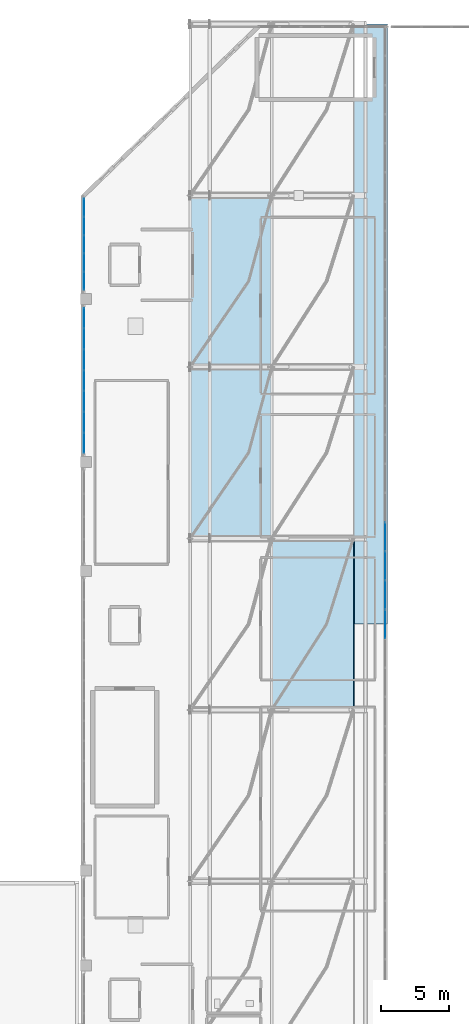
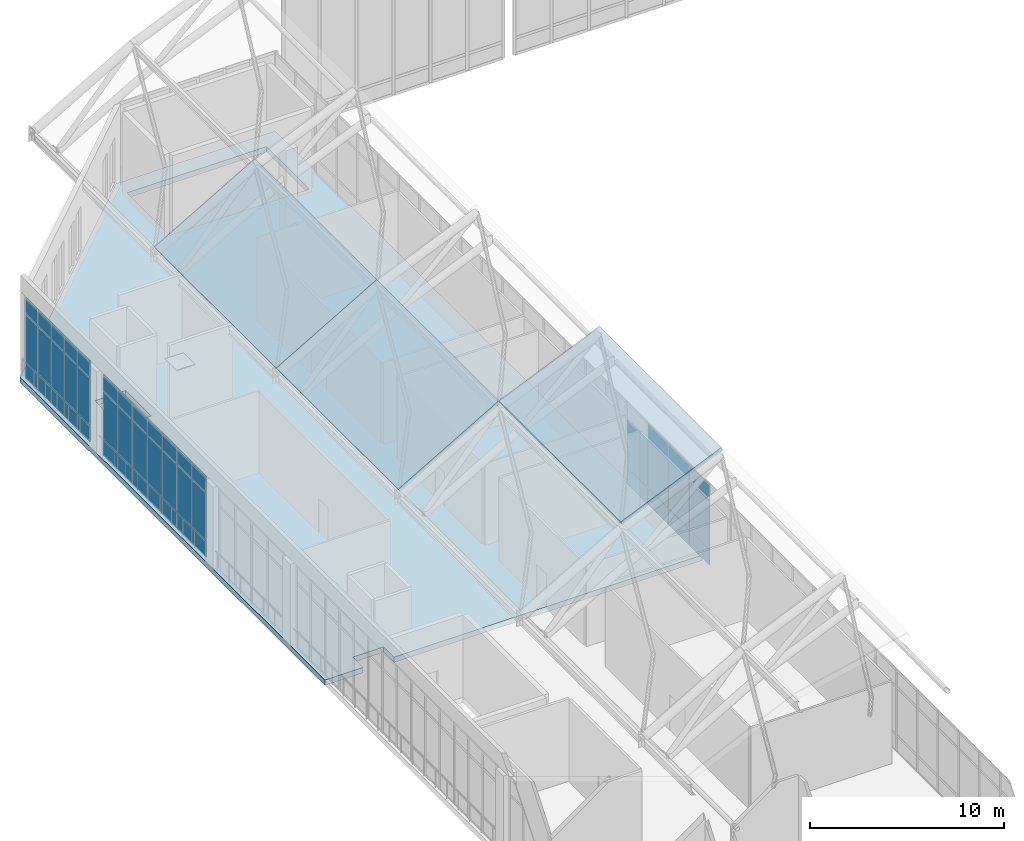
# One storey, part 28 of 42: 47 plates, 4 slabs, 3 elements without a shape of their own.
"""IFC4 building model written with IfcOpenShell, lengths in metres."""

from ifc_helpers import new_model, si_unit, derived_unit, direction, frame, origin, origin_2d, place, context, subcontext, project, spatial, polyline, rectangle, outline, extrude, material, layer, layer_set, type_object, element, aggregate, save


model = new_model("IFC4")

# Units and contexts
model_context = context("Model", 3, precision=1e-05, world=origin(), true_north=direction((0.0, 1.0)))
body_context = subcontext(model_context, "Body", "Model", "MODEL_VIEW")
ifc_project = project(units=[si_unit("LENGTHUNIT", "METRE"), si_unit("AREAUNIT", "SQUARE_METRE"), si_unit("VOLUMEUNIT", "CUBIC_METRE"), si_unit("PLANEANGLEUNIT", "RADIAN"), si_unit("MASSUNIT", "GRAM", prefix="KILO"), derived_unit("THERMALTRANSMITTANCEUNIT", [(si_unit("MASSUNIT", "GRAM", prefix="KILO"), 1), (si_unit("TIMEUNIT", "SECOND"), -3), (si_unit("THERMODYNAMICTEMPERATUREUNIT", "KELVIN"), -1)])], contexts=[model_context])

# Site, building, storey
site_placement = place(None, origin())
site = spatial("IfcSite", under=ifc_project, at=site_placement, CompositionType="ELEMENT")
building_placement = place(site_placement, origin())
building = spatial("IfcBuilding", under=site, at=building_placement, Name="Valcora Ridge Arena", CompositionType="ELEMENT")
storey_placement = place(building_placement, frame((0.0, 0.0, 26.39990234375)))
storey = spatial("IfcBuildingStorey", under=building, at=storey_placement, Name="L05", CompositionType="ELEMENT", Elevation=26.39990234375)

# Curtain wall, plates
ifc_material_1 = material(Name="Anodised dark bronze architectural aluminium 6063-T6", Category="aluminium")
ifc_layer_1 = layer(ifc_material_1, 0.14990234375, Name="Anodised dark bronze architectural aluminium 6063-T6")
ifc_layer_set_1 = layer_set([ifc_layer_1], Name="Anodised dark bronze architectural aluminium 6063-T6")
curtain_wall_type_1 = type_object("IfcCurtainWallType", Name="TY-CURTAINWALL-CW-V1-SKY-068X52", PredefinedType="NOTDEFINED", material=ifc_layer_set_1)
curtain_wall_1_placement = place(storey_placement, origin())
curtain_wall_1 = element("IfcCurtainWall", 1, at=curtain_wall_1_placement, inside=storey, type_object=curtain_wall_type_1, Name="CW-V1-SKY-068X52 CW-0168", PredefinedType="NOTDEFINED")
ifc_material_2 = material(Name="Low-iron solar-control double glazing SHGC 0.28", Category="glass")
ifc_layer_2 = layer(ifc_material_2, 0.028076171875, Name="Low-iron solar-control double glazing SHGC 0.28")
ifc_layer_set_2 = layer_set([ifc_layer_2], Name="Low-iron solar-control double glazing SHGC 0.28")
plate_type_1 = type_object("IfcPlateType", Name="TY-PLT-CWP-1277X0975", PredefinedType="CURTAIN_PANEL", material=ifc_layer_set_2)
plate_1_placement = place(storey_placement, frame((16.199951171875, 89.32861328125, 0.050048828125), z_axis=(0.0, 0.0, 1.0), x_axis=(0.0, 1.0, 0.0)))
plate_1 = element("IfcPlate", 2, at=plate_1_placement, type_object=plate_type_1, Name="CW-0168/P00-00", PredefinedType="CURTAIN_PANEL", context=body_context, shape_type="SweptSolid", body=[
    extrude(rectangle(XDim=1.277099609375, YDim=0.028076171875, at=origin_2d()), origin(), (0.0, 0.0, 1.0), 0.97509765625),
])
plate_2_placement = place(storey_placement, frame((16.199951171875, 94.71142578125, 0.050048828125), z_axis=(0.0, 0.0, 1.0), x_axis=(0.0, 1.0, 0.0)))
plate_2 = element("IfcPlate", 3, at=plate_2_placement, type_object=plate_type_1, Name="CW-0168/P04-00", PredefinedType="CURTAIN_PANEL", context=body_context, shape_type="SweptSolid", body=[
    extrude(rectangle(XDim=1.277099609375, YDim=0.028076171875, at=origin_2d()), origin(), (0.0, 0.0, 1.0), 0.97509765625),
])
ifc_layer_3 = layer(ifc_material_2, 0.028076171875, Name="Low-iron solar-control double glazing SHGC 0.28")
ifc_layer_set_3 = layer_set([ifc_layer_3], Name="Low-iron solar-control double glazing SHGC 0.28")
plate_type_2 = type_object("IfcPlateType", Name="TY-PLT-CWP-1277X1025", PredefinedType="CURTAIN_PANEL", material=ifc_layer_set_3)
plate_3_placement = place(storey_placement, frame((16.199951171875, 89.32861328125, 4.105224609375), z_axis=(0.0, 0.0, 1.0), x_axis=(0.0, 1.0, 0.0)))
plate_3 = element("IfcPlate", 4, at=plate_3_placement, type_object=plate_type_2, Name="CW-0168/P00-02", PredefinedType="CURTAIN_PANEL", context=body_context, shape_type="SweptSolid", body=[
    extrude(rectangle(XDim=1.277099609375, YDim=0.028076171875, at=origin_2d()), origin(), (0.0, 0.0, 1.0), 1.02490234375),
])
plate_4_placement = place(storey_placement, frame((16.199951171875, 94.71142578125, 4.105224609375), z_axis=(0.0, 0.0, 1.0), x_axis=(0.0, 1.0, 0.0)))
plate_4 = element("IfcPlate", 5, at=plate_4_placement, type_object=plate_type_2, Name="CW-0168/P04-02", PredefinedType="CURTAIN_PANEL", context=body_context, shape_type="SweptSolid", body=[
    extrude(rectangle(XDim=1.277099609375, YDim=0.028076171875, at=origin_2d()), origin(), (0.0, 0.0, 1.0), 1.02490234375),
])
ifc_layer_4 = layer(ifc_material_2, 0.028076171875, Name="Low-iron solar-control double glazing SHGC 0.28")
ifc_layer_set_4 = layer_set([ifc_layer_4], Name="Low-iron solar-control double glazing SHGC 0.28")
plate_type_3 = type_object("IfcPlateType", Name="TY-PLT-CWP-1277X2980", PredefinedType="CURTAIN_PANEL", material=ifc_layer_set_4)
plate_5_placement = place(storey_placement, frame((16.199951171875, 89.32861328125, 1.0751953125), z_axis=(0.0, 0.0, 1.0), x_axis=(0.0, 1.0, 0.0)))
plate_5 = element("IfcPlate", 6, at=plate_5_placement, type_object=plate_type_3, Name="CW-0168/P00-01", PredefinedType="CURTAIN_PANEL", context=body_context, shape_type="SweptSolid", body=[
    extrude(rectangle(XDim=1.277099609375, YDim=0.028076171875, at=origin_2d()), origin(), (0.0, 0.0, 1.0), 2.97998046875),
])
plate_6_placement = place(storey_placement, frame((16.199951171875, 94.71142578125, 1.0751953125), z_axis=(0.0, 0.0, 1.0), x_axis=(0.0, 1.0, 0.0)))
plate_6 = element("IfcPlate", 7, at=plate_6_placement, type_object=plate_type_3, Name="CW-0168/P04-01", PredefinedType="CURTAIN_PANEL", context=body_context, shape_type="SweptSolid", body=[
    extrude(rectangle(XDim=1.277099609375, YDim=0.028076171875, at=origin_2d()), origin(), (0.0, 0.0, 1.0), 2.97998046875),
])
ifc_layer_5 = layer(ifc_material_2, 0.028076171875, Name="Low-iron solar-control double glazing SHGC 0.28")
ifc_layer_set_5 = layer_set([ifc_layer_5], Name="Low-iron solar-control double glazing SHGC 0.28")
plate_type_4 = type_object("IfcPlateType", Name="TY-PLT-CWP-1302X0975", PredefinedType="CURTAIN_PANEL", material=ifc_layer_set_5)
plate_7_placement = place(storey_placement, frame((16.199951171875, 90.66796875, 0.050048828125), z_axis=(0.0, 0.0, 1.0), x_axis=(0.0, 1.0, 0.0)))
plate_7 = element("IfcPlate", 8, at=plate_7_placement, type_object=plate_type_4, Name="CW-0168/P01-00", PredefinedType="CURTAIN_PANEL", context=body_context, shape_type="SweptSolid", body=[
    extrude(rectangle(XDim=1.302001953125, YDim=0.028076171875, at=origin_2d()), origin(), (0.0, 0.0, 1.0), 0.97509765625),
])
plate_8_placement = place(storey_placement, frame((16.199951171875, 92.02001953125, 0.050048828125), z_axis=(0.0, 0.0, 1.0), x_axis=(0.0, 1.0, 0.0)))
plate_8 = element("IfcPlate", 9, at=plate_8_placement, type_object=plate_type_4, Name="CW-0168/P02-00", PredefinedType="CURTAIN_PANEL", context=body_context, shape_type="SweptSolid", body=[
    extrude(rectangle(XDim=1.302001953125, YDim=0.028076171875, at=origin_2d()), origin(), (0.0, 0.0, 1.0), 0.97509765625),
])
plate_9_placement = place(storey_placement, frame((16.199951171875, 93.3720703125, 0.050048828125), z_axis=(0.0, 0.0, 1.0), x_axis=(0.0, 1.0, 0.0)))
plate_9 = element("IfcPlate", 10, at=plate_9_placement, type_object=plate_type_4, Name="CW-0168/P03-00", PredefinedType="CURTAIN_PANEL", context=body_context, shape_type="SweptSolid", body=[
    extrude(rectangle(XDim=1.302001953125, YDim=0.028076171875, at=origin_2d()), origin(), (0.0, 0.0, 1.0), 0.97509765625),
])
ifc_layer_6 = layer(ifc_material_2, 0.028076171875, Name="Low-iron solar-control double glazing SHGC 0.28")
ifc_layer_set_6 = layer_set([ifc_layer_6], Name="Low-iron solar-control double glazing SHGC 0.28")
plate_type_5 = type_object("IfcPlateType", Name="TY-PLT-CWP-1302X1025", PredefinedType="CURTAIN_PANEL", material=ifc_layer_set_6)
plate_10_placement = place(storey_placement, frame((16.199951171875, 90.66796875, 4.105224609375), z_axis=(0.0, 0.0, 1.0), x_axis=(0.0, 1.0, 0.0)))
plate_10 = element("IfcPlate", 11, at=plate_10_placement, type_object=plate_type_5, Name="CW-0168/P01-02", PredefinedType="CURTAIN_PANEL", context=body_context, shape_type="SweptSolid", body=[
    extrude(rectangle(XDim=1.302001953125, YDim=0.028076171875, at=origin_2d()), origin(), (0.0, 0.0, 1.0), 1.02490234375),
])
plate_11_placement = place(storey_placement, frame((16.199951171875, 92.02001953125, 4.105224609375), z_axis=(0.0, 0.0, 1.0), x_axis=(0.0, 1.0, 0.0)))
plate_11 = element("IfcPlate", 12, at=plate_11_placement, type_object=plate_type_5, Name="CW-0168/P02-02", PredefinedType="CURTAIN_PANEL", context=body_context, shape_type="SweptSolid", body=[
    extrude(rectangle(XDim=1.302001953125, YDim=0.028076171875, at=origin_2d()), origin(), (0.0, 0.0, 1.0), 1.02490234375),
])
plate_12_placement = place(storey_placement, frame((16.199951171875, 93.3720703125, 4.105224609375), z_axis=(0.0, 0.0, 1.0), x_axis=(0.0, 1.0, 0.0)))
plate_12 = element("IfcPlate", 13, at=plate_12_placement, type_object=plate_type_5, Name="CW-0168/P03-02", PredefinedType="CURTAIN_PANEL", context=body_context, shape_type="SweptSolid", body=[
    extrude(rectangle(XDim=1.302001953125, YDim=0.028076171875, at=origin_2d()), origin(), (0.0, 0.0, 1.0), 1.02490234375),
])
ifc_layer_7 = layer(ifc_material_2, 0.028076171875, Name="Low-iron solar-control double glazing SHGC 0.28")
ifc_layer_set_7 = layer_set([ifc_layer_7], Name="Low-iron solar-control double glazing SHGC 0.28")
plate_type_6 = type_object("IfcPlateType", Name="TY-PLT-CWP-1302X2980", PredefinedType="CURTAIN_PANEL", material=ifc_layer_set_7)
plate_13_placement = place(storey_placement, frame((16.199951171875, 90.66796875, 1.0751953125), z_axis=(0.0, 0.0, 1.0), x_axis=(0.0, 1.0, 0.0)))
plate_13 = element("IfcPlate", 14, at=plate_13_placement, type_object=plate_type_6, Name="CW-0168/P01-01", PredefinedType="CURTAIN_PANEL", context=body_context, shape_type="SweptSolid", body=[
    extrude(rectangle(XDim=1.302001953125, YDim=0.028076171875, at=origin_2d()), origin(), (0.0, 0.0, 1.0), 2.97998046875),
])
plate_14_placement = place(storey_placement, frame((16.199951171875, 92.02001953125, 1.0751953125), z_axis=(0.0, 0.0, 1.0), x_axis=(0.0, 1.0, 0.0)))
plate_14 = element("IfcPlate", 15, at=plate_14_placement, type_object=plate_type_6, Name="CW-0168/P02-01", PredefinedType="CURTAIN_PANEL", context=body_context, shape_type="SweptSolid", body=[
    extrude(rectangle(XDim=1.302001953125, YDim=0.028076171875, at=origin_2d()), origin(), (0.0, 0.0, 1.0), 2.97998046875),
])
plate_15_placement = place(storey_placement, frame((16.199951171875, 93.3720703125, 1.0751953125), z_axis=(0.0, 0.0, 1.0), x_axis=(0.0, 1.0, 0.0)))
plate_15 = element("IfcPlate", 16, at=plate_15_placement, type_object=plate_type_6, Name="CW-0168/P03-01", PredefinedType="CURTAIN_PANEL", context=body_context, shape_type="SweptSolid", body=[
    extrude(rectangle(XDim=1.302001953125, YDim=0.028076171875, at=origin_2d()), origin(), (0.0, 0.0, 1.0), 2.97998046875),
])
aggregate(curtain_wall_1, [plate_1, plate_5, plate_3, plate_7, plate_13, plate_10, plate_8, plate_14, plate_11, plate_9, plate_15, plate_12, plate_2, plate_6, plate_4])

ifc_layer_8 = layer(ifc_material_1, 0.14990234375, Name="Anodised dark bronze architectural aluminium 6063-T6")
ifc_layer_set_8 = layer_set([ifc_layer_8], Name="Anodised dark bronze architectural aluminium 6063-T6")
curtain_wall_type_2 = type_object("IfcCurtainWallType", Name="TY-CURTAINWALL-CW-V1-SKY-107X52", PredefinedType="NOTDEFINED", material=ifc_layer_set_8)
curtain_wall_2_placement = place(storey_placement, origin())
curtain_wall_2 = element("IfcCurtainWall", 17, at=curtain_wall_2_placement, inside=storey, type_object=curtain_wall_type_2, Name="CW-V1-SKY-107X52 CW-0167", PredefinedType="NOTDEFINED")
ifc_layer_9 = layer(ifc_material_2, 0.028076171875, Name="Low-iron solar-control double glazing SHGC 0.28")
ifc_layer_set_9 = layer_set([ifc_layer_9], Name="Low-iron solar-control double glazing SHGC 0.28")
plate_type_7 = type_object("IfcPlateType", Name="TY-PLT-CWP-1456X0975", PredefinedType="CURTAIN_PANEL", material=ifc_layer_set_9)
plate_16_placement = place(storey_placement, frame((16.199951171875, 77.41796875, 0.050048828125), z_axis=(0.0, 0.0, 1.0), x_axis=(0.0, 1.0, 0.0)))
plate_16 = element("IfcPlate", 18, at=plate_16_placement, type_object=plate_type_7, Name="CW-0167/P00-00", PredefinedType="CURTAIN_PANEL", context=body_context, shape_type="SweptSolid", body=[
    extrude(rectangle(XDim=1.4560546875, YDim=0.028076171875, at=origin_2d()), origin(), (0.0, 0.0, 1.0), 0.97509765625),
])
plate_17_placement = place(storey_placement, frame((16.199951171875, 86.58203125, 0.050048828125), z_axis=(0.0, 0.0, 1.0), x_axis=(0.0, 1.0, 0.0)))
plate_17 = element("IfcPlate", 19, at=plate_17_placement, type_object=plate_type_7, Name="CW-0167/P06-00", PredefinedType="CURTAIN_PANEL", context=body_context, shape_type="SweptSolid", body=[
    extrude(rectangle(XDim=1.4560546875, YDim=0.028076171875, at=origin_2d()), origin(), (0.0, 0.0, 1.0), 0.97509765625),
])
ifc_layer_10 = layer(ifc_material_2, 0.028076171875, Name="Low-iron solar-control double glazing SHGC 0.28")
ifc_layer_set_10 = layer_set([ifc_layer_10], Name="Low-iron solar-control double glazing SHGC 0.28")
plate_type_8 = type_object("IfcPlateType", Name="TY-PLT-CWP-1456X1025", PredefinedType="CURTAIN_PANEL", material=ifc_layer_set_10)
plate_18_placement = place(storey_placement, frame((16.199951171875, 77.41796875, 4.105224609375), z_axis=(0.0, 0.0, 1.0), x_axis=(0.0, 1.0, 0.0)))
plate_18 = element("IfcPlate", 20, at=plate_18_placement, type_object=plate_type_8, Name="CW-0167/P00-02", PredefinedType="CURTAIN_PANEL", context=body_context, shape_type="SweptSolid", body=[
    extrude(rectangle(XDim=1.4560546875, YDim=0.028076171875, at=origin_2d()), origin(), (0.0, 0.0, 1.0), 1.02490234375),
])
plate_19_placement = place(storey_placement, frame((16.199951171875, 86.58203125, 4.105224609375), z_axis=(0.0, 0.0, 1.0), x_axis=(0.0, 1.0, 0.0)))
plate_19 = element("IfcPlate", 21, at=plate_19_placement, type_object=plate_type_8, Name="CW-0167/P06-02", PredefinedType="CURTAIN_PANEL", context=body_context, shape_type="SweptSolid", body=[
    extrude(rectangle(XDim=1.4560546875, YDim=0.028076171875, at=origin_2d()), origin(), (0.0, 0.0, 1.0), 1.02490234375),
])
ifc_layer_11 = layer(ifc_material_2, 0.028076171875, Name="Low-iron solar-control double glazing SHGC 0.28")
ifc_layer_set_11 = layer_set([ifc_layer_11], Name="Low-iron solar-control double glazing SHGC 0.28")
plate_type_9 = type_object("IfcPlateType", Name="TY-PLT-CWP-1456X2980", PredefinedType="CURTAIN_PANEL", material=ifc_layer_set_11)
plate_20_placement = place(storey_placement, frame((16.199951171875, 77.41796875, 1.0751953125), z_axis=(0.0, 0.0, 1.0), x_axis=(0.0, 1.0, 0.0)))
plate_20 = element("IfcPlate", 22, at=plate_20_placement, type_object=plate_type_9, Name="CW-0167/P00-01", PredefinedType="CURTAIN_PANEL", context=body_context, shape_type="SweptSolid", body=[
    extrude(rectangle(XDim=1.4560546875, YDim=0.028076171875, at=origin_2d()), origin(), (0.0, 0.0, 1.0), 2.97998046875),
])
plate_21_placement = place(storey_placement, frame((16.199951171875, 86.58203125, 1.0751953125), z_axis=(0.0, 0.0, 1.0), x_axis=(0.0, 1.0, 0.0)))
plate_21 = element("IfcPlate", 23, at=plate_21_placement, type_object=plate_type_9, Name="CW-0167/P06-01", PredefinedType="CURTAIN_PANEL", context=body_context, shape_type="SweptSolid", body=[
    extrude(rectangle(XDim=1.4560546875, YDim=0.028076171875, at=origin_2d()), origin(), (0.0, 0.0, 1.0), 2.97998046875),
])
ifc_layer_12 = layer(ifc_material_2, 0.028076171875, Name="Low-iron solar-control double glazing SHGC 0.28")
ifc_layer_set_12 = layer_set([ifc_layer_12], Name="Low-iron solar-control double glazing SHGC 0.28")
plate_type_10 = type_object("IfcPlateType", Name="TY-PLT-CWP-1481X0975", PredefinedType="CURTAIN_PANEL", material=ifc_layer_set_12)
plate_22_placement = place(storey_placement, frame((16.199951171875, 80.468505859375, 0.050048828125), z_axis=(0.0, 0.0, 1.0), x_axis=(0.0, 1.0, 0.0)))
plate_22 = element("IfcPlate", 24, at=plate_22_placement, type_object=plate_type_10, Name="CW-0167/P02-00", PredefinedType="CURTAIN_PANEL", context=body_context, shape_type="SweptSolid", body=[
    extrude(rectangle(XDim=1.48095703125, YDim=0.028076171875, at=origin_2d()), origin(), (0.0, 0.0, 1.0), 0.97509765625),
])
plate_23_placement = place(storey_placement, frame((16.199951171875, 83.531494140625, 0.050048828125), z_axis=(0.0, 0.0, 1.0), x_axis=(0.0, 1.0, 0.0)))
plate_23 = element("IfcPlate", 25, at=plate_23_placement, type_object=plate_type_10, Name="CW-0167/P04-00", PredefinedType="CURTAIN_PANEL", context=body_context, shape_type="SweptSolid", body=[
    extrude(rectangle(XDim=1.48095703125, YDim=0.028076171875, at=origin_2d()), origin(), (0.0, 0.0, 1.0), 0.97509765625),
])
ifc_layer_13 = layer(ifc_material_2, 0.028076171875, Name="Low-iron solar-control double glazing SHGC 0.28")
ifc_layer_set_13 = layer_set([ifc_layer_13], Name="Low-iron solar-control double glazing SHGC 0.28")
plate_type_11 = type_object("IfcPlateType", Name="TY-PLT-CWP-1481X1025", PredefinedType="CURTAIN_PANEL", material=ifc_layer_set_13)
plate_24_placement = place(storey_placement, frame((16.199951171875, 80.468505859375, 4.105224609375), z_axis=(0.0, 0.0, 1.0), x_axis=(0.0, 1.0, 0.0)))
plate_24 = element("IfcPlate", 26, at=plate_24_placement, type_object=plate_type_11, Name="CW-0167/P02-02", PredefinedType="CURTAIN_PANEL", context=body_context, shape_type="SweptSolid", body=[
    extrude(rectangle(XDim=1.48095703125, YDim=0.028076171875, at=origin_2d()), origin(), (0.0, 0.0, 1.0), 1.02490234375),
])
plate_25_placement = place(storey_placement, frame((16.199951171875, 83.531494140625, 4.105224609375), z_axis=(0.0, 0.0, 1.0), x_axis=(0.0, 1.0, 0.0)))
plate_25 = element("IfcPlate", 27, at=plate_25_placement, type_object=plate_type_11, Name="CW-0167/P04-02", PredefinedType="CURTAIN_PANEL", context=body_context, shape_type="SweptSolid", body=[
    extrude(rectangle(XDim=1.48095703125, YDim=0.028076171875, at=origin_2d()), origin(), (0.0, 0.0, 1.0), 1.02490234375),
])
ifc_layer_14 = layer(ifc_material_2, 0.028076171875, Name="Low-iron solar-control double glazing SHGC 0.28")
ifc_layer_set_14 = layer_set([ifc_layer_14], Name="Low-iron solar-control double glazing SHGC 0.28")
plate_type_12 = type_object("IfcPlateType", Name="TY-PLT-CWP-1481X2980", PredefinedType="CURTAIN_PANEL", material=ifc_layer_set_14)
plate_26_placement = place(storey_placement, frame((16.199951171875, 80.468505859375, 1.0751953125), z_axis=(0.0, 0.0, 1.0), x_axis=(0.0, 1.0, 0.0)))
plate_26 = element("IfcPlate", 28, at=plate_26_placement, type_object=plate_type_12, Name="CW-0167/P02-01", PredefinedType="CURTAIN_PANEL", context=body_context, shape_type="SweptSolid", body=[
    extrude(rectangle(XDim=1.48095703125, YDim=0.028076171875, at=origin_2d()), origin(), (0.0, 0.0, 1.0), 2.97998046875),
])
plate_27_placement = place(storey_placement, frame((16.199951171875, 83.531494140625, 1.0751953125), z_axis=(0.0, 0.0, 1.0), x_axis=(0.0, 1.0, 0.0)))
plate_27 = element("IfcPlate", 29, at=plate_27_placement, type_object=plate_type_12, Name="CW-0167/P04-01", PredefinedType="CURTAIN_PANEL", context=body_context, shape_type="SweptSolid", body=[
    extrude(rectangle(XDim=1.48095703125, YDim=0.028076171875, at=origin_2d()), origin(), (0.0, 0.0, 1.0), 2.97998046875),
])
ifc_layer_15 = layer(ifc_material_2, 0.028076171875, Name="Low-iron solar-control double glazing SHGC 0.28")
ifc_layer_set_15 = layer_set([ifc_layer_15], Name="Low-iron solar-control double glazing SHGC 0.28")
plate_type_13 = type_object("IfcPlateType", Name="TY-PLT-CWP-1482X0975", PredefinedType="CURTAIN_PANEL", material=ifc_layer_set_15)
plate_28_placement = place(storey_placement, frame((16.199951171875, 78.93701171875, 0.050048828125), z_axis=(0.0, 0.0, 1.0), x_axis=(0.0, 1.0, 0.0)))
plate_28 = element("IfcPlate", 30, at=plate_28_placement, type_object=plate_type_13, Name="CW-0167/P01-00", PredefinedType="CURTAIN_PANEL", context=body_context, shape_type="SweptSolid", body=[
    extrude(rectangle(XDim=1.48193359375, YDim=0.028076171875, at=origin_2d()), origin(), (0.0, 0.0, 1.0), 0.97509765625),
])
plate_29_placement = place(storey_placement, frame((16.199951171875, 82.0, 0.050048828125), z_axis=(0.0, 0.0, 1.0), x_axis=(0.0, 1.0, 0.0)))
plate_29 = element("IfcPlate", 31, at=plate_29_placement, type_object=plate_type_13, Name="CW-0167/P03-00", PredefinedType="CURTAIN_PANEL", context=body_context, shape_type="SweptSolid", body=[
    extrude(rectangle(XDim=1.48193359375, YDim=0.028076171875, at=origin_2d()), origin(), (0.0, 0.0, 1.0), 0.97509765625),
])
plate_30_placement = place(storey_placement, frame((16.199951171875, 85.06298828125, 0.050048828125), z_axis=(0.0, 0.0, 1.0), x_axis=(0.0, 1.0, 0.0)))
plate_30 = element("IfcPlate", 32, at=plate_30_placement, type_object=plate_type_13, Name="CW-0167/P05-00", PredefinedType="CURTAIN_PANEL", context=body_context, shape_type="SweptSolid", body=[
    extrude(rectangle(XDim=1.48193359375, YDim=0.028076171875, at=origin_2d()), origin(), (0.0, 0.0, 1.0), 0.97509765625),
])
ifc_layer_16 = layer(ifc_material_2, 0.028076171875, Name="Low-iron solar-control double glazing SHGC 0.28")
ifc_layer_set_16 = layer_set([ifc_layer_16], Name="Low-iron solar-control double glazing SHGC 0.28")
plate_type_14 = type_object("IfcPlateType", Name="TY-PLT-CWP-1482X1025", PredefinedType="CURTAIN_PANEL", material=ifc_layer_set_16)
plate_31_placement = place(storey_placement, frame((16.199951171875, 78.93701171875, 4.105224609375), z_axis=(0.0, 0.0, 1.0), x_axis=(0.0, 1.0, 0.0)))
plate_31 = element("IfcPlate", 33, at=plate_31_placement, type_object=plate_type_14, Name="CW-0167/P01-02", PredefinedType="CURTAIN_PANEL", context=body_context, shape_type="SweptSolid", body=[
    extrude(rectangle(XDim=1.48193359375, YDim=0.028076171875, at=origin_2d()), origin(), (0.0, 0.0, 1.0), 1.02490234375),
])
plate_32_placement = place(storey_placement, frame((16.199951171875, 82.0, 4.105224609375), z_axis=(0.0, 0.0, 1.0), x_axis=(0.0, 1.0, 0.0)))
plate_32 = element("IfcPlate", 34, at=plate_32_placement, type_object=plate_type_14, Name="CW-0167/P03-02", PredefinedType="CURTAIN_PANEL", context=body_context, shape_type="SweptSolid", body=[
    extrude(rectangle(XDim=1.48193359375, YDim=0.028076171875, at=origin_2d()), origin(), (0.0, 0.0, 1.0), 1.02490234375),
])
plate_33_placement = place(storey_placement, frame((16.199951171875, 85.06298828125, 4.105224609375), z_axis=(0.0, 0.0, 1.0), x_axis=(0.0, 1.0, 0.0)))
plate_33 = element("IfcPlate", 35, at=plate_33_placement, type_object=plate_type_14, Name="CW-0167/P05-02", PredefinedType="CURTAIN_PANEL", context=body_context, shape_type="SweptSolid", body=[
    extrude(rectangle(XDim=1.48193359375, YDim=0.028076171875, at=origin_2d()), origin(), (0.0, 0.0, 1.0), 1.02490234375),
])
ifc_layer_17 = layer(ifc_material_2, 0.028076171875, Name="Low-iron solar-control double glazing SHGC 0.28")
ifc_layer_set_17 = layer_set([ifc_layer_17], Name="Low-iron solar-control double glazing SHGC 0.28")
plate_type_15 = type_object("IfcPlateType", Name="TY-PLT-CWP-1482X2980", PredefinedType="CURTAIN_PANEL", material=ifc_layer_set_17)
plate_34_placement = place(storey_placement, frame((16.199951171875, 78.93701171875, 1.0751953125), z_axis=(0.0, 0.0, 1.0), x_axis=(0.0, 1.0, 0.0)))
plate_34 = element("IfcPlate", 36, at=plate_34_placement, type_object=plate_type_15, Name="CW-0167/P01-01", PredefinedType="CURTAIN_PANEL", context=body_context, shape_type="SweptSolid", body=[
    extrude(rectangle(XDim=1.48193359375, YDim=0.028076171875, at=origin_2d()), origin(), (0.0, 0.0, 1.0), 2.97998046875),
])
plate_35_placement = place(storey_placement, frame((16.199951171875, 82.0, 1.0751953125), z_axis=(0.0, 0.0, 1.0), x_axis=(0.0, 1.0, 0.0)))
plate_35 = element("IfcPlate", 37, at=plate_35_placement, type_object=plate_type_15, Name="CW-0167/P03-01", PredefinedType="CURTAIN_PANEL", context=body_context, shape_type="SweptSolid", body=[
    extrude(rectangle(XDim=1.48193359375, YDim=0.028076171875, at=origin_2d()), origin(), (0.0, 0.0, 1.0), 2.97998046875),
])
plate_36_placement = place(storey_placement, frame((16.199951171875, 85.06298828125, 1.0751953125), z_axis=(0.0, 0.0, 1.0), x_axis=(0.0, 1.0, 0.0)))
plate_36 = element("IfcPlate", 38, at=plate_36_placement, type_object=plate_type_15, Name="CW-0167/P05-01", PredefinedType="CURTAIN_PANEL", context=body_context, shape_type="SweptSolid", body=[
    extrude(rectangle(XDim=1.48193359375, YDim=0.028076171875, at=origin_2d()), origin(), (0.0, 0.0, 1.0), 2.97998046875),
])
aggregate(curtain_wall_2, [plate_16, plate_20, plate_18, plate_28, plate_34, plate_31, plate_22, plate_26, plate_24, plate_29, plate_35, plate_32, plate_23, plate_27, plate_25, plate_30, plate_36, plate_33, plate_17, plate_21, plate_19])

ifc_layer_18 = layer(ifc_material_1, 0.14990234375, Name="Anodised dark bronze architectural aluminium 6063-T6")
ifc_layer_set_18 = layer_set([ifc_layer_18], Name="Anodised dark bronze architectural aluminium 6063-T6")
curtain_wall_type_3 = type_object("IfcCurtainWallType", Name="TY-CURTAINWALL-CW-V1-SKY-878X52", PredefinedType="NOTDEFINED", material=ifc_layer_set_18)
curtain_wall_3_placement = place(storey_placement, origin())
curtain_wall_3 = element("IfcCurtainWall", 39, at=curtain_wall_3_placement, inside=storey, type_object=curtain_wall_type_3, Name="CW-V1-SKY-878X52 CW-0171", PredefinedType="NOTDEFINED")
ifc_layer_19 = layer(ifc_material_2, 0.028076171875, Name="Low-iron solar-control double glazing SHGC 0.28")
ifc_layer_set_19 = layer_set([ifc_layer_19], Name="Low-iron solar-control double glazing SHGC 0.28")
plate_type_16 = type_object("IfcPlateType", Name="TY-PLT-CWP-2091X0975", PredefinedType="CURTAIN_PANEL", material=ifc_layer_set_19)
plate_37_placement = place(storey_placement, frame((38.35009765625, 66.241455078125, 0.050048828125), z_axis=(0.0, 0.0, 1.0), x_axis=(0.0, 1.0, 0.0)))
plate_37 = element("IfcPlate", 40, at=plate_37_placement, type_object=plate_type_16, Name="CW-0171/P21-00", PredefinedType="CURTAIN_PANEL", context=body_context, shape_type="SweptSolid", body=[
    extrude(rectangle(XDim=2.091064453125, YDim=0.028076171875, at=origin_2d()), origin(), (0.0, 0.0, 1.0), 0.97509765625),
])
plate_38_placement = place(storey_placement, frame((38.35009765625, 70.5244140625, 0.050048828125), z_axis=(0.0, 0.0, 1.0), x_axis=(0.0, 1.0, 0.0)))
plate_38 = element("IfcPlate", 41, at=plate_38_placement, type_object=plate_type_16, Name="CW-0171/P23-00", PredefinedType="CURTAIN_PANEL", context=body_context, shape_type="SweptSolid", body=[
    extrude(rectangle(XDim=2.091064453125, YDim=0.028076171875, at=origin_2d()), origin(), (0.0, 0.0, 1.0), 0.97509765625),
])
ifc_layer_20 = layer(ifc_material_2, 0.028076171875, Name="Low-iron solar-control double glazing SHGC 0.28")
ifc_layer_set_20 = layer_set([ifc_layer_20], Name="Low-iron solar-control double glazing SHGC 0.28")
plate_type_17 = type_object("IfcPlateType", Name="TY-PLT-CWP-2091X1025", PredefinedType="CURTAIN_PANEL", material=ifc_layer_set_20)
plate_39_placement = place(storey_placement, frame((38.35009765625, 66.241455078125, 4.105224609375), z_axis=(0.0, 0.0, 1.0), x_axis=(0.0, 1.0, 0.0)))
plate_39 = element("IfcPlate", 42, at=plate_39_placement, type_object=plate_type_17, Name="CW-0171/P21-02", PredefinedType="CURTAIN_PANEL", context=body_context, shape_type="SweptSolid", body=[
    extrude(rectangle(XDim=2.091064453125, YDim=0.028076171875, at=origin_2d()), origin(), (0.0, 0.0, 1.0), 1.02490234375),
])
ifc_layer_21 = layer(ifc_material_2, 0.028076171875, Name="Low-iron solar-control double glazing SHGC 0.28")
ifc_layer_set_21 = layer_set([ifc_layer_21], Name="Low-iron solar-control double glazing SHGC 0.28")
plate_type_18 = type_object("IfcPlateType", Name="TY-PLT-CWP-2091X2980", PredefinedType="CURTAIN_PANEL", material=ifc_layer_set_21)
plate_40_placement = place(storey_placement, frame((38.35009765625, 66.241455078125, 1.0751953125), z_axis=(0.0, 0.0, 1.0), x_axis=(0.0, 1.0, 0.0)))
plate_40 = element("IfcPlate", 43, at=plate_40_placement, type_object=plate_type_18, Name="CW-0171/P21-01", PredefinedType="CURTAIN_PANEL", context=body_context, shape_type="SweptSolid", body=[
    extrude(rectangle(XDim=2.091064453125, YDim=0.028076171875, at=origin_2d()), origin(), (0.0, 0.0, 1.0), 2.97998046875),
])
plate_41_placement = place(storey_placement, frame((38.35009765625, 70.5244140625, 1.0751953125), z_axis=(0.0, 0.0, 1.0), x_axis=(0.0, 1.0, 0.0)))
plate_41 = element("IfcPlate", 44, at=plate_41_placement, type_object=plate_type_18, Name="CW-0171/P23-01", PredefinedType="CURTAIN_PANEL", context=body_context, shape_type="SweptSolid", body=[
    extrude(rectangle(XDim=2.091064453125, YDim=0.028076171875, at=origin_2d()), origin(), (0.0, 0.0, 1.0), 2.97998046875),
])
ifc_layer_22 = layer(ifc_material_2, 0.028076171875, Name="Low-iron solar-control double glazing SHGC 0.28")
ifc_layer_set_22 = layer_set([ifc_layer_22], Name="Low-iron solar-control double glazing SHGC 0.28")
plate_type_19 = type_object("IfcPlateType", Name="TY-PLT-CWP-2092X0975", PredefinedType="CURTAIN_PANEL", material=ifc_layer_set_22)
plate_42_placement = place(storey_placement, frame((38.35009765625, 64.10009765625, 0.050048828125), z_axis=(0.0, 0.0, 1.0), x_axis=(0.0, 1.0, 0.0)))
plate_42 = element("IfcPlate", 45, at=plate_42_placement, type_object=plate_type_19, Name="CW-0171/P20-00", PredefinedType="CURTAIN_PANEL", context=body_context, shape_type="SweptSolid", body=[
    extrude(rectangle(XDim=2.092041015625, YDim=0.028076171875, at=origin_2d()), origin(), (0.0, 0.0, 1.0), 0.97509765625),
])
plate_43_placement = place(storey_placement, frame((38.35009765625, 68.383056640625, 0.050048828125), z_axis=(0.0, 0.0, 1.0), x_axis=(0.0, 1.0, 0.0)))
plate_43 = element("IfcPlate", 46, at=plate_43_placement, type_object=plate_type_19, Name="CW-0171/P22-00", PredefinedType="CURTAIN_PANEL", context=body_context, shape_type="SweptSolid", body=[
    extrude(rectangle(XDim=2.092041015625, YDim=0.028076171875, at=origin_2d()), origin(), (0.0, 0.0, 1.0), 0.97509765625),
])
ifc_layer_23 = layer(ifc_material_2, 0.028076171875, Name="Low-iron solar-control double glazing SHGC 0.28")
ifc_layer_set_23 = layer_set([ifc_layer_23], Name="Low-iron solar-control double glazing SHGC 0.28")
plate_type_20 = type_object("IfcPlateType", Name="TY-PLT-CWP-2092X1025", PredefinedType="CURTAIN_PANEL", material=ifc_layer_set_23)
plate_44_placement = place(storey_placement, frame((38.35009765625, 64.10009765625, 4.105224609375), z_axis=(0.0, 0.0, 1.0), x_axis=(0.0, 1.0, 0.0)))
plate_44 = element("IfcPlate", 47, at=plate_44_placement, type_object=plate_type_20, Name="CW-0171/P20-02", PredefinedType="CURTAIN_PANEL", context=body_context, shape_type="SweptSolid", body=[
    extrude(rectangle(XDim=2.092041015625, YDim=0.028076171875, at=origin_2d()), origin(), (0.0, 0.0, 1.0), 1.02490234375),
])
plate_45_placement = place(storey_placement, frame((38.35009765625, 68.383056640625, 4.105224609375), z_axis=(0.0, 0.0, 1.0), x_axis=(0.0, 1.0, 0.0)))
plate_45 = element("IfcPlate", 48, at=plate_45_placement, type_object=plate_type_20, Name="CW-0171/P22-02", PredefinedType="CURTAIN_PANEL", context=body_context, shape_type="SweptSolid", body=[
    extrude(rectangle(XDim=2.092041015625, YDim=0.028076171875, at=origin_2d()), origin(), (0.0, 0.0, 1.0), 1.02490234375),
])
ifc_layer_24 = layer(ifc_material_2, 0.028076171875, Name="Low-iron solar-control double glazing SHGC 0.28")
ifc_layer_set_24 = layer_set([ifc_layer_24], Name="Low-iron solar-control double glazing SHGC 0.28")
plate_type_21 = type_object("IfcPlateType", Name="TY-PLT-CWP-2092X2980", PredefinedType="CURTAIN_PANEL", material=ifc_layer_set_24)
plate_46_placement = place(storey_placement, frame((38.35009765625, 64.10009765625, 1.0751953125), z_axis=(0.0, 0.0, 1.0), x_axis=(0.0, 1.0, 0.0)))
plate_46 = element("IfcPlate", 49, at=plate_46_placement, type_object=plate_type_21, Name="CW-0171/P20-01", PredefinedType="CURTAIN_PANEL", context=body_context, shape_type="SweptSolid", body=[
    extrude(rectangle(XDim=2.092041015625, YDim=0.028076171875, at=origin_2d()), origin(), (0.0, 0.0, 1.0), 2.97998046875),
])
plate_47_placement = place(storey_placement, frame((38.35009765625, 68.383056640625, 1.0751953125), z_axis=(0.0, 0.0, 1.0), x_axis=(0.0, 1.0, 0.0)))
plate_47 = element("IfcPlate", 50, at=plate_47_placement, type_object=plate_type_21, Name="CW-0171/P22-01", PredefinedType="CURTAIN_PANEL", context=body_context, shape_type="SweptSolid", body=[
    extrude(rectangle(XDim=2.092041015625, YDim=0.028076171875, at=origin_2d()), origin(), (0.0, 0.0, 1.0), 2.97998046875),
])
aggregate(curtain_wall_3, [plate_42, plate_46, plate_44, plate_37, plate_40, plate_39, plate_43, plate_47, plate_45, plate_38, plate_41])

# Slabs
ifc_material_3 = material(Name="Concrete C40/50", Category="concrete")
ifc_layer_25 = layer(ifc_material_3, 0.219970703125, Name="Concrete C40/50")
ifc_layer_set_25 = layer_set([ifc_layer_25], Name="Concrete C40/50")
slab_type_1 = type_object("IfcSlabType", Name="TY-SLAB-RF-ARC-S01", PredefinedType="ROOF", material=ifc_layer_set_25)
for number, where, z_axis, x_axis, name in (
    (51, (24.0, 70.39990234375, 5.400146484375), (-0.501926643599, 0.0, 0.864910194439), (0.864910194439, 0.0, 0.501926643599), "RF-ARC-S01 SLB-RF-0049"),
    (52, (24.0, 83.0, 5.400146484375), (-0.501926643599, 0.0, 0.864910194439), (0.864910194439, 0.0, 0.501926643599), "RF-ARC-S01 SLB-RF-0061"),
):
    element("IfcSlab", number, at=place(storey_placement, frame(where, z_axis=z_axis, x_axis=x_axis)), inside=storey, type_object=slab_type_1, Name=name, PredefinedType="ROOF", context=body_context, shape_type="SweptSolid", body=[
        extrude(outline(polyline([(0.0, 0.0), (6.93713640858278, 0.0), (6.93713640858278, 12.60009765625), (0.0, 12.60009765625), (0.0, 0.0)])), origin(), (0.0, 0.0, -1.0), 0.219970703125),
    ])
ifc_layer_26 = layer(ifc_material_3, 0.219970703125, Name="Concrete C40/50")
ifc_layer_set_26 = layer_set([ifc_layer_26], Name="Concrete C40/50")
slab_type_2 = type_object("IfcSlabType", Name="TY-SLAB-RF-ARC-S02", PredefinedType="ROOF", material=ifc_layer_set_26)
slab_1_placement = place(storey_placement, frame((30.0, 57.800048828125, 8.882080078125), z_axis=(-0.397337061961, 0.0, 0.917672740792), x_axis=(0.917672740792, 0.0, 0.397337061961)))
element("IfcSlab", 53, at=slab_1_placement, inside=storey, type_object=slab_type_2, Name="RF-ARC-S02 SLB-RF-0038", PredefinedType="ROOF", context=body_context, shape_type="SweptSolid", body=[
    extrude(outline(polyline([(0.0, 0.0), (6.5382785532286345, 0.0), (6.5382785532286345, 12.599853515625), (0.0, 12.599853515625), (0.0, 0.0)])), origin(), (0.0, 0.0, -1.0), 0.219970703125),
])
ifc_layer_27 = layer(ifc_material_3, 0.340087890625, Name="Concrete C40/50")
ifc_layer_set_27 = layer_set([ifc_layer_27], Name="Concrete C40/50")
slab_type_3 = type_object("IfcSlabType", Name="TY-SLAB-SL-GOND-340-NW", PredefinedType="FLOOR", material=ifc_layer_set_27)
slab_2_placement = place(storey_placement, frame((0.0, 0.0, -0.33984375)))
element("IfcSlab", 54, at=slab_2_placement, inside=storey, type_object=slab_type_3, Name="SL-GOND-340-NW SLB-0051", PredefinedType="FLOOR", context=body_context, shape_type="SweptSolid", body=[
    extrude(outline(polyline([(16.0, 95.60009765625), (16.0, 64.10009765625), (18.280029296875, 64.10009765625), (18.280029296875, 65.169921875), (20.1201171875, 65.169921875), (20.1201171875, 64.10009765625), (38.5, 64.10009765625), (38.5, 108.199951171875), (29.0, 108.199951171875), (16.0, 95.60009765625)]), holes=[polyline([(37.39990234375, 107.199951171875), (29.080078125, 107.199951171875), (29.080078125, 102.800048828125), (37.39990234375, 102.800048828125), (37.39990234375, 107.199951171875)]), polyline([(18.280029296875, 89.179931640625), (20.1201171875, 89.179931640625), (20.1201171875, 91.820068359375), (18.280029296875, 91.820068359375), (18.280029296875, 89.179931640625)])]), origin(), (0.0, 0.0, 1.0), 0.33984375),
])

save(model, "model.ifc")
